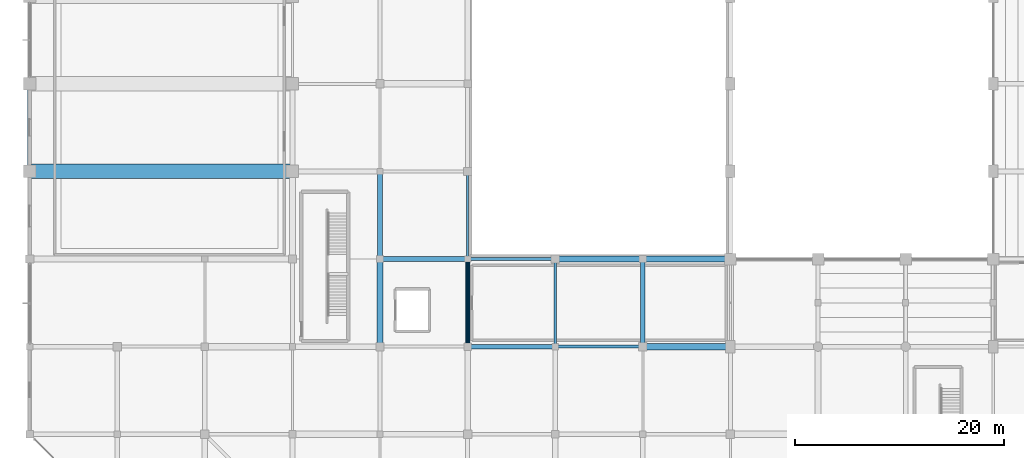
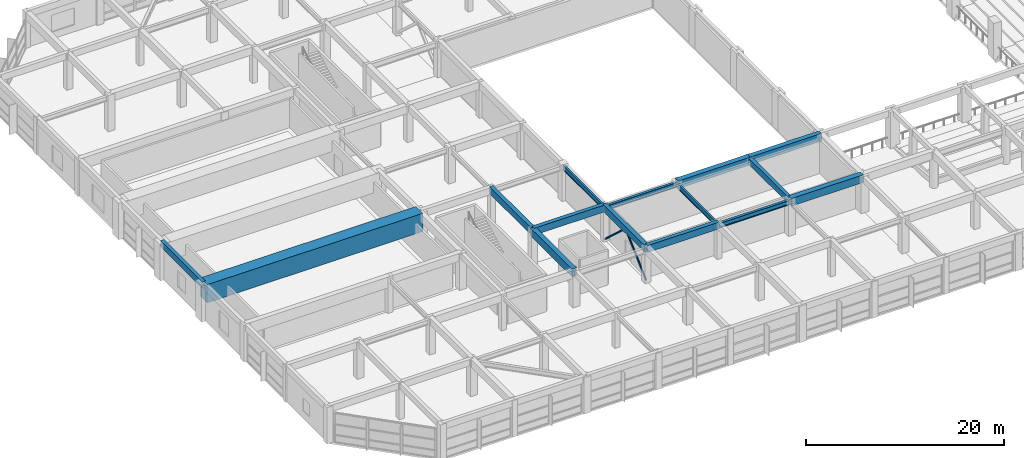
# One storey, part 15 of 62: 15 beams, 2 members.
"""IFC4 building model written with IfcOpenShell, lengths in metres."""

from ifc_helpers import new_model, si_unit, direction, frame, origin, origin_2d, place, context, subcontext, project, spatial, rectangle, hollow_circle, i_section, extrude, material, material_profile, profile_set, type_object, element, save


model = new_model("IFC4")

# Units and contexts
model_context = context("Model", 3, precision=1e-05, world=origin(), true_north=direction((0.0, 1.0)))
body_context = subcontext(model_context, "Body", "Model", "MODEL_VIEW")
ifc_project = project(units=[si_unit("LENGTHUNIT", "METRE"), si_unit("AREAUNIT", "SQUARE_METRE"), si_unit("VOLUMEUNIT", "CUBIC_METRE"), si_unit("PLANEANGLEUNIT", "RADIAN"), si_unit("MASSUNIT", "GRAM", prefix="KILO")], contexts=[model_context])

# Site, building, storey
site_placement = place(None, origin())
site = spatial("IfcSite", under=ifc_project, at=site_placement, CompositionType="ELEMENT")
building_placement = place(site_placement, origin())
building = spatial("IfcBuilding", under=site, at=building_placement, Name="Xuanlan Plaza Opera House", CompositionType="ELEMENT")
storey_placement = place(building_placement, frame((0.0, 0.0, 14.39990234375)))
storey = spatial("IfcBuildingStorey", under=building, at=storey_placement, Name="L03", CompositionType="ELEMENT", Elevation=14.39990234375)

# Beams
ifc_material_1 = material(Name="Concrete C50", Category="concrete")
ifc_material_profile_1 = material_profile(ifc_material_1, rectangle(XDim=0.60009765625, YDim=0.949951171875, at=origin_2d()), Name="RC-BM 600x950")
ifc_profile_set_1 = profile_set([ifc_material_profile_1], Name="Concrete C50")
beam_type_1 = type_object("IfcBeamType", Name="STR-BM-B-01", PredefinedType="BEAM", material=ifc_profile_set_1)
beam_1_placement = place(storey_placement, frame((58.800048828125, 33.60009765625, 4.025146484375), z_axis=(1.0, 0.0, 0.0), x_axis=(0.0, 1.0, 0.0)))
element("IfcBeam", 1, at=beam_1_placement, inside=storey, type_object=beam_type_1, Name="Grid Beam X L03 8-9/E", PredefinedType="BEAM", context=body_context, shape_type="SweptSolid", body=[
    extrude(rectangle(XDim=0.60009765625, YDim=0.949951171875, at=origin_2d()), origin(), (0.0, 0.0, 1.0), 8.39990234375),
])
beam_2_placement = place(storey_placement, frame((50.39990234375, 42.0, 4.025146484375), z_axis=(1.0, 0.0, 0.0), x_axis=(0.0, 1.0, 0.0)))
element("IfcBeam", 2, at=beam_2_placement, inside=storey, type_object=beam_type_1, Name="Grid Beam X L03 7-8/F", PredefinedType="BEAM", context=body_context, shape_type="SweptSolid", body=[
    extrude(rectangle(XDim=0.60009765625, YDim=0.949951171875, at=origin_2d()), origin(), (0.0, 0.0, 1.0), 8.400146484375),
])
ifc_material_profile_2 = material_profile(ifc_material_1, rectangle(XDim=0.550048828125, YDim=0.949951171875, at=origin_2d()), Name="RC-BM 550x950")
ifc_profile_set_2 = profile_set([ifc_material_profile_2], Name="Concrete C50")
beam_type_2 = type_object("IfcBeamType", Name="STR-BM-B-02", PredefinedType="BEAM", material=ifc_profile_set_2)
for number, where, z_axis, x_axis, name in (
    (3, (58.800048828125, 42.0, 4.025146484375), (1.0, 0.0, 0.0), (0.0, 1.0, 0.0), "Grid Beam X L03 8-9/F"),
    (4, (33.60009765625, 33.60009765625, 4.025146484375), (0.0, 1.0, 0.0), (-1.0, 0.0, 0.0), "Grid Beam Y L03 5/E-F"),
):
    element("IfcBeam", number, at=place(storey_placement, frame(where, z_axis=z_axis, x_axis=x_axis)), inside=storey, type_object=beam_type_2, Name=name, PredefinedType="BEAM", context=body_context, shape_type="SweptSolid", body=[
        extrude(rectangle(XDim=0.550048828125, YDim=0.949951171875, at=origin_2d()), origin(), (0.0, 0.0, 1.0), 8.39990234375),
    ])
ifc_material_2 = material(Name="Concrete C40", Category="concrete")
ifc_material_profile_3 = material_profile(ifc_material_2, rectangle(XDim=0.449951171875, YDim=0.85009765625, at=origin_2d()), Name="RC-BM 450x850")
ifc_profile_set_3 = profile_set([ifc_material_profile_3], Name="Concrete C40")
beam_type_3 = type_object("IfcBeamType", Name="STR-BM-B-04", PredefinedType="BEAM", material=ifc_profile_set_3)
for number, where, z_axis, x_axis, name in (
    (5, (42.0, 33.60009765625, 4.0751953125), (1.0, 0.0, 0.0), (0.0, 1.0, 0.0), "Grid Beam X L03 6-7/E"),
    (6, (33.60009765625, 42.0, 4.0751953125), (1.0, 0.0, 0.0), (0.0, 1.0, 0.0), "Grid Beam X L03 5-6/F"),
    (7, (33.60009765625, 42.0, 4.0751953125), (0.0, 1.0, 0.0), (-1.0, 0.0, 0.0), "Grid Beam Y L03 5/F-G"),
    (8, (42.0, 33.60009765625, 4.0751953125), (0.0, 1.0, 0.0), (-1.0, 0.0, 0.0), "Grid Beam Y L03 6/E-F"),
):
    element("IfcBeam", number, at=place(storey_placement, frame(where, z_axis=z_axis, x_axis=x_axis)), inside=storey, type_object=beam_type_3, Name=name, PredefinedType="BEAM", context=body_context, shape_type="SweptSolid", body=[
        extrude(rectangle(XDim=0.449951171875, YDim=0.85009765625, at=origin_2d()), origin(), (0.0, 0.0, 1.0), 8.39990234375),
    ])
ifc_material_profile_4 = material_profile(ifc_material_2, rectangle(XDim=0.39990234375, YDim=0.75, at=origin_2d()), Name="RC-BM 400x750")
ifc_profile_set_4 = profile_set([ifc_material_profile_4], Name="Concrete C40")
beam_type_4 = type_object("IfcBeamType", Name="STR-BM-B-06", PredefinedType="BEAM", material=ifc_profile_set_4)
beam_3_placement = place(storey_placement, frame((58.800048828125, 33.60009765625, 4.125), z_axis=(0.0, 1.0, 0.0), x_axis=(-1.0, 0.0, 0.0)))
element("IfcBeam", 9, at=beam_3_placement, inside=storey, type_object=beam_type_4, Name="Grid Beam Y L03 8/E-F", PredefinedType="BEAM", context=body_context, shape_type="SweptSolid", body=[
    extrude(rectangle(XDim=0.39990234375, YDim=0.75, at=origin_2d()), origin(), (0.0, 0.0, 1.0), 8.39990234375),
])
ifc_material_3 = material(Name="Steel Q355B", Category="steel")
ifc_material_profile_5 = material_profile(ifc_material_3, i_section(OverallWidth=0.199951171875, OverallDepth=0.60009765625, WebThickness=0.010986328125, FlangeThickness=0.01708984375, FilletRadius=0.02197265625, at=origin_2d()), Name="HN 600x200x11x17")
ifc_profile_set_5 = profile_set([ifc_material_profile_5], Name="Steel Q355B")
beam_type_5 = type_object("IfcBeamType", Name="STR-BM-SB-04", PredefinedType="BEAM", material=ifc_profile_set_5)
for number, where, z_axis, x_axis, name in (
    (10, (42.0, 42.0, 3.93505859375), (0.0, 1.0, 0.0), (-1.0, 0.0, 0.0), "Grid Beam Y L03 6/F-G"),
    (11, (50.39990234375, 33.60009765625, 3.93505859375), (0.0, 1.0, 0.0), (-1.0, 0.0, 0.0), "Grid Beam Y L03 7/E-F"),
):
    element("IfcBeam", number, at=place(storey_placement, frame(where, z_axis=z_axis, x_axis=x_axis)), inside=storey, type_object=beam_type_5, Name=name, PredefinedType="BEAM", context=body_context, shape_type="SweptSolid", body=[
        extrude(i_section(OverallWidth=0.199951171875, OverallDepth=0.60009765625, WebThickness=0.010986328125, FlangeThickness=0.01708984375, FilletRadius=0.02197265625, at=origin_2d()), origin(), (0.0, 0.0, 1.0), 8.39990234375),
    ])
ifc_material_profile_6 = material_profile(ifc_material_3, i_section(OverallWidth=0.300048828125, OverallDepth=0.587890625, WebThickness=0.011962890625, FlangeThickness=0.02001953125, FilletRadius=0.02392578125, at=origin_2d()), Name="HM 588x300x12x20")
ifc_profile_set_6 = profile_set([ifc_material_profile_6], Name="Steel Q355B")
beam_type_6 = type_object("IfcBeamType", Name="STR-BM-SB-06", PredefinedType="BEAM", material=ifc_profile_set_6)
beam_4_placement = place(storey_placement, frame((50.39990234375, 33.60009765625, 3.941162109375), z_axis=(1.0, 0.0, 0.0), x_axis=(0.0, 1.0, 0.0)))
element("IfcBeam", 12, at=beam_4_placement, inside=storey, type_object=beam_type_6, Name="Grid Beam X L03 7-8/E", PredefinedType="BEAM", context=body_context, shape_type="SweptSolid", body=[
    extrude(i_section(OverallWidth=0.300048828125, OverallDepth=0.587890625, WebThickness=0.011962890625, FlangeThickness=0.02001953125, FilletRadius=0.02392578125, at=origin_2d()), origin(), (0.0, 0.0, 1.0), 8.400146484375),
])
beam_5_placement = place(storey_placement, frame((42.0, 42.0, 3.941162109375), z_axis=(1.0, 0.0, 0.0), x_axis=(0.0, 1.0, 0.0)))
element("IfcBeam", 13, at=beam_5_placement, inside=storey, type_object=beam_type_6, Name="Grid Beam X L03 6-7/F", PredefinedType="BEAM", context=body_context, shape_type="SweptSolid", body=[
    extrude(i_section(OverallWidth=0.300048828125, OverallDepth=0.587890625, WebThickness=0.011962890625, FlangeThickness=0.02001953125, FilletRadius=0.02392578125, at=origin_2d()), origin(), (0.0, 0.0, 1.0), 8.39990234375),
])
ifc_material_profile_7 = material_profile(ifc_material_2, rectangle(XDim=0.39990234375, YDim=0.800048828125, at=origin_2d()), Name="RC-SPD 400x800")
ifc_profile_set_7 = profile_set([ifc_material_profile_7], Name="Concrete C40")
beam_type_7 = type_object("IfcBeamType", Name="STR-BM-SP-01", PredefinedType="SPANDREL", material=ifc_profile_set_7)
beam_6_placement = place(storey_placement, frame((0.0, 50.39990234375, 4.10009765625), z_axis=(0.0, 1.0, 0.0), x_axis=(-1.0, 0.0, 0.0)))
element("IfcBeam", 14, at=beam_6_placement, inside=storey, type_object=beam_type_7, Name="Grid Beam Y L03 1/G-H", PredefinedType="SPANDREL", context=body_context, shape_type="SweptSolid", body=[
    extrude(rectangle(XDim=0.39990234375, YDim=0.800048828125, at=origin_2d()), origin(), (0.0, 0.0, 1.0), 8.400146484375),
])
ifc_material_4 = material(Name="Concrete C60", Category="concrete")
ifc_material_profile_8 = material_profile(ifc_material_4, rectangle(XDim=1.39990234375, YDim=2.25, at=origin_2d()), Name="RC-TG 1400x2250")
ifc_profile_set_8 = profile_set([ifc_material_profile_8], Name="Concrete C60")
beam_type_8 = type_object("IfcBeamType", Name="STR-BM-TG-04", PredefinedType="BEAM", material=ifc_profile_set_8)
beam_7_placement = place(storey_placement, frame((0.0, 50.39990234375, 3.375), z_axis=(1.0, 0.0, 0.0), x_axis=(0.0, 1.0, 0.0)))
element("IfcBeam", 15, at=beam_7_placement, inside=storey, type_object=beam_type_8, Name="Grid Beam X L03 1-4/G", PredefinedType="BEAM", context=body_context, shape_type="SweptSolid", body=[
    extrude(rectangle(XDim=1.39990234375, YDim=2.25, at=origin_2d()), origin(), (0.0, 0.0, 1.0), 25.199951171875),
])

# Members
ifc_material_profile_9 = material_profile(ifc_material_3, hollow_circle(Radius=0.109619140625, WallThickness=0.010009765625, at=origin_2d()), Name="CHS 219.1x10")
ifc_profile_set_9 = profile_set([ifc_material_profile_9], Name="Steel Q355B")
member_type = type_object("IfcMemberType", Name="STR-MEM-BR-05", PredefinedType="BRACE", material=ifc_profile_set_9)
for number, where, z_axis, x_axis, name in (
    (16, (42.0, 33.60009765625, 0.10009765625), (0.0, 0.737141689437, 0.675738210918), (-1.0, 0.0, 0.0), "Stage Lateral Chevron Brace L03-0A"),
    (17, (42.0, 42.0, 0.10009765625), (0.0, -0.737141689437, 0.675738210918), (1.0, 0.0, 0.0), "Stage Lateral Chevron Brace L03-0B"),
):
    element("IfcMember", number, at=place(storey_placement, frame(where, z_axis=z_axis, x_axis=x_axis)), inside=storey, type_object=member_type, Name=name, PredefinedType="BRACE", context=body_context, shape_type="SweptSolid", body=[
        extrude(hollow_circle(Radius=0.109619140625, WallThickness=0.010009765625, at=origin_2d()), origin(), (0.0, 0.0, 1.0), 5.697509765625),
    ])

save(model, "model.ifc")
